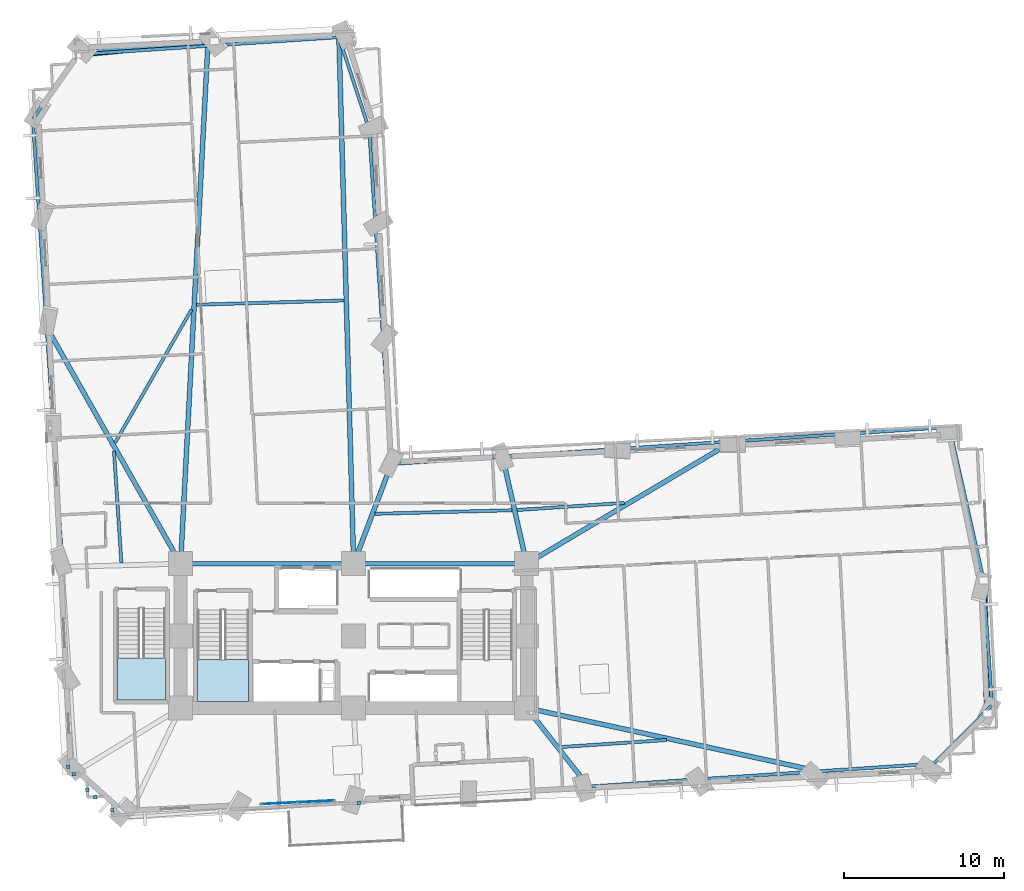
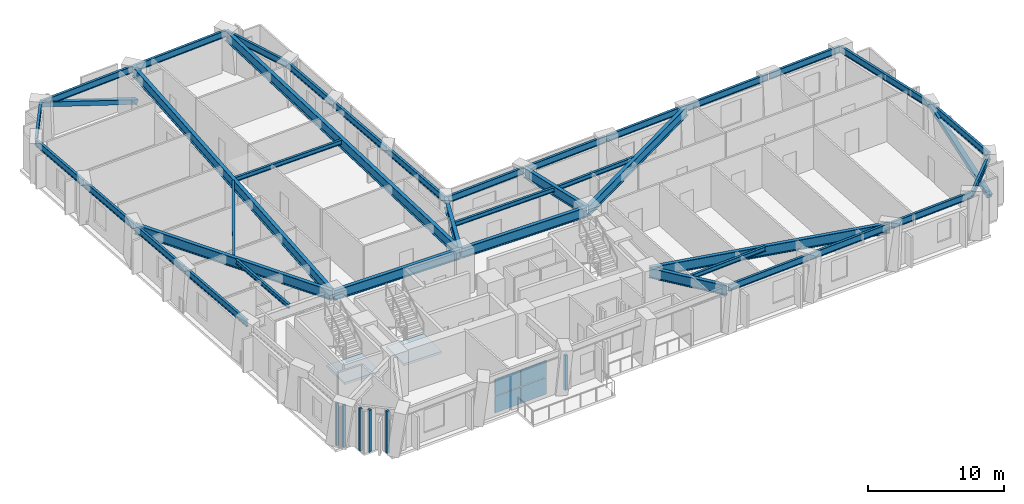
# One storey, part 3 of 15: 38 beams, 10 plates, 2 members, 2 slabs, 3 elements without a shape of their own.
"""IFC4 building model written with IfcOpenShell, lengths in metres."""

from ifc_helpers import new_model, si_unit, direction, frame, origin, origin_2d, place, context, subcontext, project, spatial, polyline, rectangle, hollow_rectangle, i_section, outline, extrude, material, layer, layer_set, material_profile, profile_set, type_object, element, aggregate, save


model = new_model("IFC4")

# Units and contexts
model_context = context("Model", 3, precision=1e-05, world=origin(), true_north=direction((0.0, 1.0)))
body_context = subcontext(model_context, "Body", "Model", "MODEL_VIEW")
ifc_project = project(units=[si_unit("LENGTHUNIT", "METRE"), si_unit("AREAUNIT", "SQUARE_METRE"), si_unit("VOLUMEUNIT", "CUBIC_METRE"), si_unit("PLANEANGLEUNIT", "RADIAN"), si_unit("MASSUNIT", "GRAM", prefix="KILO")], contexts=[model_context])

# Site, building, storey
site_placement = place(None, origin())
site = spatial("IfcSite", under=ifc_project, at=site_placement, CompositionType="ELEMENT")
building_placement = place(site_placement, origin())
building = spatial("IfcBuilding", under=site, at=building_placement, Name="Gaonmaruhae Medical Tower", CompositionType="ELEMENT")
storey_placement = place(building_placement, frame((0.0, 0.0, 35.0)))
storey = spatial("IfcBuildingStorey", under=building, at=storey_placement, Name="L07", CompositionType="ELEMENT", Elevation=35.0)

# Beams
ifc_material_1 = material(Name="Steel SM355", Category="steel")
ifc_material_profile_1 = material_profile(ifc_material_1, i_section(OverallWidth=0.199951171875, OverallDepth=0.39990234375, WebThickness=0.008056640625, FlangeThickness=0.012939453125, FilletRadius=0.012939453125, at=origin_2d()), Name="H-400x200x8x13")
ifc_profile_set_1 = profile_set([ifc_material_profile_1], Name="Steel SM355")
beam_type_1 = type_object("IfcBeamType", Name="FJ-01 Lower Zone Ward Floor Joist (H-400x200x8x13)", PredefinedType="JOIST", material=ifc_profile_set_1)
beam_1_placement = place(storey_placement, frame((37.7197265625, 5.357666015625, 3.580078125), z_axis=(0.997800978094, 0.066281280278, 0.0), x_axis=(-0.066281280278, 0.997800978094, 0.0)))
element("IfcBeam", 1, at=beam_1_placement, inside=storey, type_object=beam_type_1, Name="L07 Secondary Floor Joist FJ03", PredefinedType="JOIST", context=body_context, shape_type="SweptSolid", body=[
    extrude(i_section(OverallWidth=0.199951171875, OverallDepth=0.39990234375, WebThickness=0.008056640625, FlangeThickness=0.012939453125, FilletRadius=0.012939453125, at=origin_2d()), origin(), (0.0, 0.0, 1.0), 6.61181640625),
])
beam_2_placement = place(storey_placement, frame((41.691650390625, 20.594482421875, 3.580078125), z_axis=(-0.997801561796, -0.066272492609, 0.0), x_axis=(0.066272492609, -0.997801561796, 0.0)))
element("IfcBeam", 2, at=beam_2_placement, inside=storey, type_object=beam_type_1, Name="L07 Secondary Floor Joist FJ05", PredefinedType="JOIST", context=body_context, shape_type="SweptSolid", body=[
    extrude(i_section(OverallWidth=0.199951171875, OverallDepth=0.39990234375, WebThickness=0.008056640625, FlangeThickness=0.012939453125, FilletRadius=0.012939453125, at=origin_2d()), origin(), (0.0, 0.0, 1.0), 6.70458984375),
])
beam_3_placement = place(storey_placement, frame((34.685546875, 20.135498046875, 3.580078125), z_axis=(-0.999663327042, -0.02594672558, 0.0), x_axis=(0.02594672558, -0.999663327042, 0.0)))
element("IfcBeam", 3, at=beam_3_placement, inside=storey, type_object=beam_type_1, Name="L07 Secondary Floor Joist FJ06", PredefinedType="JOIST", context=body_context, shape_type="SweptSolid", body=[
    extrude(i_section(OverallWidth=0.199951171875, OverallDepth=0.39990234375, WebThickness=0.008056640625, FlangeThickness=0.012939453125, FilletRadius=0.012939453125, at=origin_2d()), origin(), (0.0, 0.0, 1.0), 8.543701171875),
])
beam_4_placement = place(storey_placement, frame((24.1845703125, 33.225830078125, 3.580078125), z_axis=(-0.999590697342, -0.028608351695, 0.0), x_axis=(0.028608351695, -0.999590697342, 0.0)))
element("IfcBeam", 4, at=beam_4_placement, inside=storey, type_object=beam_type_1, Name="L07 Secondary Floor Joist FJ08", PredefinedType="JOIST", context=body_context, shape_type="SweptSolid", body=[
    extrude(i_section(OverallWidth=0.199951171875, OverallDepth=0.39990234375, WebThickness=0.008056640625, FlangeThickness=0.012939453125, FilletRadius=0.012939453125, at=origin_2d()), origin(), (0.0, 0.0, 1.0), 9.182373046875),
])
beam_5_placement = place(storey_placement, frame((14.68115234375, 32.66455078125, 3.580078125), z_axis=(-0.497149498878, -0.867664898313, 0.0), x_axis=(0.867664898313, -0.497149498878, 0.0)))
element("IfcBeam", 5, at=beam_5_placement, inside=storey, type_object=beam_type_1, Name="L07 Secondary Floor Joist FJ09", PredefinedType="JOIST", context=body_context, shape_type="SweptSolid", body=[
    extrude(i_section(OverallWidth=0.199951171875, OverallDepth=0.39990234375, WebThickness=0.008056640625, FlangeThickness=0.012939453125, FilletRadius=0.012939453125, at=origin_2d()), origin(), (0.0, 0.0, 1.0), 9.59716796875),
])
beam_6_placement = place(storey_placement, frame((9.843505859375, 23.830078125, 3.580078125), z_axis=(0.0662710413, -0.997801658189, 0.0), x_axis=(0.997801658189, 0.0662710413, 0.0)))
element("IfcBeam", 6, at=beam_6_placement, inside=storey, type_object=beam_type_1, Name="L07 Secondary Floor Joist FJ10", PredefinedType="JOIST", context=body_context, shape_type="SweptSolid", body=[
    extrude(i_section(OverallWidth=0.199951171875, OverallDepth=0.39990234375, WebThickness=0.008056640625, FlangeThickness=0.012939453125, FilletRadius=0.012939453125, at=origin_2d()), origin(), (0.0, 0.0, 1.0), 6.9921875),
])

# Members
ifc_material_2 = material(Name="Steel SM420", Category="steel")
ifc_material_profile_2 = material_profile(ifc_material_2, hollow_rectangle(XDim=0.39990234375, YDim=0.39990234375, WallThickness=0.01611328125, at=origin_2d()), Name="RHS-400x400x16")
ifc_profile_set_2 = profile_set([ifc_material_profile_2], Name="Steel SM420")
member_type = type_object("IfcMemberType", Name="PB-01 Perimeter Solid-Bay Tube Brace Lower (RHS-400x400x16)", PredefinedType="BRACE", material=ifc_profile_set_2)
member_1_placement = place(storey_placement, frame((64.350341796875, 7.45751953125, 0.25), z_axis=(-0.026183809331, 0.929620992314, 0.367585661822), x_axis=(-0.999603570916, -0.028154946504, 0.0)))
element("IfcMember", 7, at=member_1_placement, inside=storey, type_object=member_type, Name="L07 Perimeter Tube Solid-Bay Brace E01-E02", PredefinedType="BRACE", context=body_context, shape_type="SweptSolid", body=[
    extrude(hollow_rectangle(XDim=0.39990234375, YDim=0.39990234375, WallThickness=0.01611328125, at=origin_2d()), origin(), (0.0, 0.0, 1.0), 8.923095703125),
])
member_2_placement = place(storey_placement, frame((16.104736328125, 49.41064453125, 0.25), z_axis=(-0.930330613514, -0.090665908831, 0.355337364394), x_axis=(0.096996053395, -0.995284766097, 0.0)))
element("IfcMember", 8, at=member_2_placement, inside=storey, type_object=member_type, Name="L07 Perimeter Tube Solid-Bay Brace N02-N03", PredefinedType="BRACE", context=body_context, shape_type="SweptSolid", body=[
    extrude(hollow_rectangle(XDim=0.39990234375, YDim=0.39990234375, WallThickness=0.01611328125, at=origin_2d()), origin(), (0.0, 0.0, 1.0), 9.230712890625),
])

# Beams
ifc_material_profile_3 = material_profile(ifc_material_2, i_section(OverallWidth=0.300048828125, OverallDepth=0.89990234375, WebThickness=0.01611328125, FlangeThickness=0.028076171875, FilletRadius=0.01806640625, at=origin_2d()), Name="H-900x300x16x28")
ifc_profile_set_3 = profile_set([ifc_material_profile_3], Name="Steel SM420")
beam_type_2 = type_object("IfcBeamType", Name="PG-01 Zone 1 Radial Floor Girder (H-900x300x16x28)", PredefinedType="BEAM", material=ifc_profile_set_3)
for number, where, z_axis, x_axis, name in (
    (9, (14.050048828125, 16.800048828125, 3.330078125), (1.0, 0.0, 0.0), (0.0, 1.0, 0.0), "L07 Beam BM-L07-CG-N1"),
    (10, (24.85009765625, 16.800048828125, 3.330078125), (1.0, 0.0, 0.0), (0.0, 1.0, 0.0), "L07 Beam BM-L07-CG-N2"),
):
    element("IfcBeam", number, at=place(storey_placement, frame(where, z_axis=z_axis, x_axis=x_axis)), inside=storey, type_object=beam_type_2, Name=name, PredefinedType="BEAM", context=body_context, shape_type="SweptSolid", body=[
        extrude(i_section(OverallWidth=0.300048828125, OverallDepth=0.89990234375, WebThickness=0.01611328125, FlangeThickness=0.028076171875, FilletRadius=0.01806640625, at=origin_2d()), origin(), (0.0, 0.0, 1.0), 10.699951171875),
    ])
beam_7_placement = place(storey_placement, frame((35.630859375, 7.7607421875, 3.31005859375), z_axis=(0.618564822239, -0.785733772144, 0.0), x_axis=(0.785733772144, 0.618564822239, 0.0)))
element("IfcBeam", 11, at=beam_7_placement, inside=storey, type_object=beam_type_2, Name="L07 Radial Primary Girder S05", PredefinedType="BEAM", context=body_context, shape_type="SweptSolid", body=[
    extrude(i_section(OverallWidth=0.300048828125, OverallDepth=0.89990234375, WebThickness=0.01611328125, FlangeThickness=0.028076171875, FilletRadius=0.01806640625, at=origin_2d()), origin(), (0.0, 0.0, 1.0), 6.1484375),
])
beam_8_placement = place(storey_placement, frame((35.64892578125, 7.789306640625, 3.330078125), z_axis=(0.977273151831, -0.211983930313, 0.0), x_axis=(0.211983930313, 0.977273151831, 0.0)))
element("IfcBeam", 12, at=beam_8_placement, inside=storey, type_object=beam_type_2, Name="L07 Radial Primary Girder S07", PredefinedType="BEAM", context=body_context, shape_type="SweptSolid", body=[
    extrude(i_section(OverallWidth=0.300048828125, OverallDepth=0.89990234375, WebThickness=0.01611328125, FlangeThickness=0.028076171875, FilletRadius=0.01806640625, at=origin_2d()), origin(), (0.0, 0.0, 1.0), 18.55712890625),
])
beam_9_placement = place(storey_placement, frame((35.64306640625, 16.825439453125, 3.330078125), z_axis=(0.859850910281, 0.510545210622, 0.0), x_axis=(-0.510545210622, 0.859850910281, 0.0)))
element("IfcBeam", 13, at=beam_9_placement, inside=storey, type_object=beam_type_2, Name="L07 Radial Primary Girder EN02", PredefinedType="BEAM", context=body_context, shape_type="SweptSolid", body=[
    extrude(i_section(OverallWidth=0.300048828125, OverallDepth=0.89990234375, WebThickness=0.01611328125, FlangeThickness=0.028076171875, FilletRadius=0.01806640625, at=origin_2d()), origin(), (0.0, 0.0, 1.0), 14.852294921875),
])
beam_10_placement = place(storey_placement, frame((35.5888671875, 16.848876953125, 3.330078125), z_axis=(-0.22069058955, 0.975343869455, 0.0), x_axis=(-0.975343869455, -0.22069058955, 0.0)))
element("IfcBeam", 14, at=beam_10_placement, inside=storey, type_object=beam_type_2, Name="L07 Radial Primary Girder EN04", PredefinedType="BEAM", context=body_context, shape_type="SweptSolid", body=[
    extrude(i_section(OverallWidth=0.300048828125, OverallDepth=0.89990234375, WebThickness=0.01611328125, FlangeThickness=0.028076171875, FilletRadius=0.01806640625, at=origin_2d()), origin(), (0.0, 0.0, 1.0), 6.748291015625),
])
beam_11_placement = place(storey_placement, frame((24.817626953125, 16.8466796875, 3.330078125), z_axis=(0.354005779236, 0.935243234815, 0.0), x_axis=(-0.935243234815, 0.354005779236, 0.0)))
element("IfcBeam", 15, at=beam_11_placement, inside=storey, type_object=beam_type_2, Name="L07 Radial Primary Girder KN01", PredefinedType="BEAM", context=body_context, shape_type="SweptSolid", body=[
    extrude(i_section(OverallWidth=0.300048828125, OverallDepth=0.89990234375, WebThickness=0.01611328125, FlangeThickness=0.028076171875, FilletRadius=0.01806640625, at=origin_2d()), origin(), (0.0, 0.0, 1.0), 6.549560546875),
])
beam_12_placement = place(storey_placement, frame((24.798583984375, 16.85009765625, 3.330078125), z_axis=(-0.027957499609, 0.999609112711, 0.0), x_axis=(-0.999609112711, -0.027957499609, 0.0)))
element("IfcBeam", 16, at=beam_12_placement, inside=storey, type_object=beam_type_2, Name="L07 Radial Primary Girder N01", PredefinedType="BEAM", context=body_context, shape_type="SweptSolid", body=[
    extrude(i_section(OverallWidth=0.300048828125, OverallDepth=0.89990234375, WebThickness=0.01611328125, FlangeThickness=0.028076171875, FilletRadius=0.01806640625, at=origin_2d()), origin(), (0.0, 0.0, 1.0), 32.773193359375),
])
beam_13_placement = place(storey_placement, frame((14.002685546875, 16.849853515625, 3.330078125), z_axis=(0.052503226643, 0.998620754437, 0.0), x_axis=(-0.998620754437, 0.052503226643, 0.0)))
element("IfcBeam", 17, at=beam_13_placement, inside=storey, type_object=beam_type_2, Name="L07 Radial Primary Girder N02", PredefinedType="BEAM", context=body_context, shape_type="SweptSolid", body=[
    extrude(i_section(OverallWidth=0.300048828125, OverallDepth=0.89990234375, WebThickness=0.01611328125, FlangeThickness=0.028076171875, FilletRadius=0.01806640625, at=origin_2d()), origin(), (0.0, 0.0, 1.0), 32.26171875),
])
beam_14_placement = place(storey_placement, frame((13.975341796875, 16.843505859375, 3.330078125), z_axis=(-0.492769287239, 0.870160002272, 0.0), x_axis=(-0.870160002272, -0.492769287239, 0.0)))
element("IfcBeam", 18, at=beam_14_placement, inside=storey, type_object=beam_type_2, Name="L07 Radial Primary Girder W03", PredefinedType="BEAM", context=body_context, shape_type="SweptSolid", body=[
    extrude(i_section(OverallWidth=0.300048828125, OverallDepth=0.89990234375, WebThickness=0.01611328125, FlangeThickness=0.028076171875, FilletRadius=0.01806640625, at=origin_2d()), origin(), (0.0, 0.0, 1.0), 16.864501953125),
])
ifc_material_profile_4 = material_profile(ifc_material_1, i_section(OverallWidth=0.199951171875, OverallDepth=0.60009765625, WebThickness=0.010986328125, FlangeThickness=0.01708984375, FilletRadius=0.012939453125, at=origin_2d()), Name="H-600x200x11x17")
ifc_profile_set_4 = profile_set([ifc_material_profile_4], Name="Steel SM355")
beam_type_3 = type_object("IfcBeamType", Name="SP-01 Lower Perimeter Spandrel Beam (H-600x200x11x17)", PredefinedType="SPANDREL", material=ifc_profile_set_4)
beam_15_placement = place(storey_placement, frame((39.5048828125, 2.89306640625, 3.47998046875), z_axis=(0.997800909192, 0.066282317518, 0.0), x_axis=(-0.066282317518, 0.997800909192, 0.0)))
element("IfcBeam", 19, at=beam_15_placement, inside=storey, type_object=beam_type_3, Name="L07 Perimeter Spandrel Beam S05-S06", PredefinedType="SPANDREL", context=body_context, shape_type="SweptSolid", body=[
    extrude(i_section(OverallWidth=0.199951171875, OverallDepth=0.60009765625, WebThickness=0.010986328125, FlangeThickness=0.01708984375, FilletRadius=0.012939453125, at=origin_2d()), origin(), (0.0, 0.0, 1.0), 7.119873046875),
])
beam_16_placement = place(storey_placement, frame((46.68896484375, 3.370361328125, 3.47998046875), z_axis=(0.997801059832, 0.066280049782, 0.0), x_axis=(-0.066280049782, 0.997801059832, 0.0)))
element("IfcBeam", 20, at=beam_16_placement, inside=storey, type_object=beam_type_3, Name="L07 Perimeter Spandrel Beam S06-S07", PredefinedType="SPANDREL", context=body_context, shape_type="SweptSolid", body=[
    extrude(i_section(OverallWidth=0.199951171875, OverallDepth=0.60009765625, WebThickness=0.010986328125, FlangeThickness=0.01708984375, FilletRadius=0.012939453125, at=origin_2d()), origin(), (0.0, 0.0, 1.0), 7.1201171875),
])
beam_17_placement = place(storey_placement, frame((53.873291015625, 3.847412109375, 3.47998046875), z_axis=(0.997800909192, 0.066282317518, 0.0), x_axis=(-0.066282317518, 0.997800909192, 0.0)))
element("IfcBeam", 21, at=beam_17_placement, inside=storey, type_object=beam_type_3, Name="L07 Perimeter Spandrel Beam S07-S08", PredefinedType="SPANDREL", context=body_context, shape_type="SweptSolid", body=[
    extrude(i_section(OverallWidth=0.199951171875, OverallDepth=0.60009765625, WebThickness=0.010986328125, FlangeThickness=0.01708984375, FilletRadius=0.012939453125, at=origin_2d()), origin(), (0.0, 0.0, 1.0), 7.119873046875),
])
beam_18_placement = place(storey_placement, frame((61.045654296875, 4.350341796875, 3.47998046875), z_axis=(0.704009936915, 0.710190121534, 0.0), x_axis=(-0.710190121534, 0.704009936915, 0.0)))
element("IfcBeam", 22, at=beam_18_placement, inside=storey, type_object=beam_type_3, Name="L07 Perimeter Spandrel Beam S08-E01", PredefinedType="SPANDREL", context=body_context, shape_type="SweptSolid", body=[
    extrude(i_section(OverallWidth=0.199951171875, OverallDepth=0.60009765625, WebThickness=0.010986328125, FlangeThickness=0.01708984375, FilletRadius=0.012939453125, at=origin_2d()), origin(), (0.0, 0.0, 1.0), 5.056396484375),
])
beam_19_placement = place(storey_placement, frame((64.631103515625, 8.009521484375, 3.47998046875), z_axis=(-0.066283927532, 0.99780080224, 0.0), x_axis=(-0.99780080224, -0.066283927532, 0.0)))
element("IfcBeam", 23, at=beam_19_placement, inside=storey, type_object=beam_type_3, Name="L07 Perimeter Spandrel Beam E01-E02", PredefinedType="SPANDREL", context=body_context, shape_type="SweptSolid", body=[
    extrude(i_section(OverallWidth=0.199951171875, OverallDepth=0.60009765625, WebThickness=0.010986328125, FlangeThickness=0.01708984375, FilletRadius=0.012939453125, at=origin_2d()), origin(), (0.0, 0.0, 1.0), 7.72021484375),
])
beam_20_placement = place(storey_placement, frame((64.10791015625, 15.79150390625, 3.47998046875), z_axis=(-0.217976521411, 0.975954013319, 0.0), x_axis=(-0.975954013319, -0.217976521411, 0.0)))
element("IfcBeam", 24, at=beam_20_placement, inside=storey, type_object=beam_type_3, Name="L07 Perimeter Spandrel Beam E02-E03", PredefinedType="SPANDREL", context=body_context, shape_type="SweptSolid", body=[
    extrude(i_section(OverallWidth=0.199951171875, OverallDepth=0.60009765625, WebThickness=0.010986328125, FlangeThickness=0.01708984375, FilletRadius=0.012939453125, at=origin_2d()), origin(), (0.0, 0.0, 1.0), 9.7353515625),
])
beam_21_placement = place(storey_placement, frame((61.937255859375, 25.3291015625, 3.47998046875), z_axis=(-0.997801666658, -0.066270913785, 0.0), x_axis=(0.066270913785, -0.997801666658, 0.0)))
element("IfcBeam", 25, at=beam_21_placement, inside=storey, type_object=beam_type_3, Name="L07 Perimeter Spandrel Beam E03-EN01", PredefinedType="SPANDREL", context=body_context, shape_type="SweptSolid", body=[
    extrude(i_section(OverallWidth=0.199951171875, OverallDepth=0.60009765625, WebThickness=0.010986328125, FlangeThickness=0.01708984375, FilletRadius=0.012939453125, at=origin_2d()), origin(), (0.0, 0.0, 1.0), 6.27001953125),
])
for number, where, z_axis, x_axis, name in (
    (26, (55.60107421875, 24.908447265625, 3.47998046875), (-0.997800909192, -0.066282317518, 0.0), (0.066282317518, -0.997800909192, 0.0), "L07 Perimeter Spandrel Beam EN01-EN02"),
    (27, (48.4169921875, 24.43115234375, 3.47998046875), (-0.997800909192, -0.066282317518, 0.0), (0.066282317518, -0.997800909192, 0.0), "L07 Perimeter Spandrel Beam EN02-EN03"),
):
    element("IfcBeam", number, at=place(storey_placement, frame(where, z_axis=z_axis, x_axis=x_axis)), inside=storey, type_object=beam_type_3, Name=name, PredefinedType="SPANDREL", context=body_context, shape_type="SweptSolid", body=[
        extrude(i_section(OverallWidth=0.199951171875, OverallDepth=0.60009765625, WebThickness=0.010986328125, FlangeThickness=0.01708984375, FilletRadius=0.012939453125, at=origin_2d()), origin(), (0.0, 0.0, 1.0), 7.119873046875),
    ])
beam_22_placement = place(storey_placement, frame((41.23291015625, 23.9541015625, 3.47998046875), z_axis=(-0.997801059832, -0.066280049782, 0.0), x_axis=(0.066280049782, -0.997801059832, 0.0)))
element("IfcBeam", 28, at=beam_22_placement, inside=storey, type_object=beam_type_3, Name="L07 Perimeter Spandrel Beam EN03-EN04", PredefinedType="SPANDREL", context=body_context, shape_type="SweptSolid", body=[
    extrude(i_section(OverallWidth=0.199951171875, OverallDepth=0.60009765625, WebThickness=0.010986328125, FlangeThickness=0.01708984375, FilletRadius=0.012939453125, at=origin_2d()), origin(), (0.0, 0.0, 1.0), 7.1201171875),
])
beam_23_placement = place(storey_placement, frame((34.048583984375, 23.476806640625, 3.47998046875), z_axis=(-0.997801168137, -0.066278419296, 0.0), x_axis=(0.066278419296, -0.997801168137, 0.0)))
element("IfcBeam", 29, at=beam_23_placement, inside=storey, type_object=beam_type_3, Name="L07 Perimeter Spandrel Beam EN04-KN01", PredefinedType="SPANDREL", context=body_context, shape_type="SweptSolid", body=[
    extrude(i_section(OverallWidth=0.199951171875, OverallDepth=0.60009765625, WebThickness=0.010986328125, FlangeThickness=0.01708984375, FilletRadius=0.012939453125, at=origin_2d()), origin(), (0.0, 0.0, 1.0), 6.869873046875),
])
beam_24_placement = place(storey_placement, frame((27.151123046875, 23.058837890625, 3.47998046875), z_axis=(-0.066271826452, 0.997801606041, 0.0), x_axis=(-0.997801606041, -0.066271826452, 0.0)))
element("IfcBeam", 30, at=beam_24_placement, inside=storey, type_object=beam_type_3, Name="L07 Perimeter Spandrel Beam KN01-NE01", PredefinedType="SPANDREL", context=body_context, shape_type="SweptSolid", body=[
    extrude(i_section(OverallWidth=0.199951171875, OverallDepth=0.60009765625, WebThickness=0.010986328125, FlangeThickness=0.01708984375, FilletRadius=0.012939453125, at=origin_2d()), origin(), (0.0, 0.0, 1.0), 7.669921875),
])
beam_25_placement = place(storey_placement, frame((26.6376953125, 30.791748046875, 3.47998046875), z_axis=(-0.066282317518, 0.997800909192, 0.0), x_axis=(-0.997800909192, -0.066282317518, 0.0)))
element("IfcBeam", 31, at=beam_25_placement, inside=storey, type_object=beam_type_3, Name="L07 Perimeter Spandrel Beam NE01-NE02", PredefinedType="SPANDREL", context=body_context, shape_type="SweptSolid", body=[
    extrude(i_section(OverallWidth=0.199951171875, OverallDepth=0.60009765625, WebThickness=0.010986328125, FlangeThickness=0.01708984375, FilletRadius=0.012939453125, at=origin_2d()), origin(), (0.0, 0.0, 1.0), 7.119873046875),
])
beam_26_placement = place(storey_placement, frame((26.160400390625, 37.975830078125, 3.47998046875), z_axis=(-0.066272663425, 0.997801550451, 0.0), x_axis=(-0.997801550451, -0.066272663425, 0.0)))
element("IfcBeam", 32, at=beam_26_placement, inside=storey, type_object=beam_type_3, Name="L07 Perimeter Spandrel Beam NE02-NE03", PredefinedType="SPANDREL", context=body_context, shape_type="SweptSolid", body=[
    extrude(i_section(OverallWidth=0.199951171875, OverallDepth=0.60009765625, WebThickness=0.010986328125, FlangeThickness=0.01708984375, FilletRadius=0.012939453125, at=origin_2d()), origin(), (0.0, 0.0, 1.0), 5.919921875),
])
beam_27_placement = place(storey_placement, frame((25.7529296875, 43.9609375, 3.47998046875), z_axis=(-0.312021224703, 0.950075131416, 0.0), x_axis=(-0.950075131416, -0.312021224703, 0.0)))
element("IfcBeam", 33, at=beam_27_placement, inside=storey, type_object=beam_type_3, Name="L07 Perimeter Spandrel Beam NE03-N01", PredefinedType="SPANDREL", context=body_context, shape_type="SweptSolid", body=[
    extrude(i_section(OverallWidth=0.199951171875, OverallDepth=0.60009765625, WebThickness=0.010986328125, FlangeThickness=0.01708984375, FilletRadius=0.012939453125, at=origin_2d()), origin(), (0.0, 0.0, 1.0), 5.959228515625),
])
beam_28_placement = place(storey_placement, frame((23.841064453125, 49.657958984375, 3.47998046875), z_axis=(-0.997799900636, -0.06629749837, 0.0), x_axis=(0.06629749837, -0.997799900636, 0.0)))
element("IfcBeam", 34, at=beam_28_placement, inside=storey, type_object=beam_type_3, Name="L07 Perimeter Spandrel Beam N01-N02", PredefinedType="SPANDREL", context=body_context, shape_type="SweptSolid", body=[
    extrude(i_section(OverallWidth=0.199951171875, OverallDepth=0.60009765625, WebThickness=0.010986328125, FlangeThickness=0.01708984375, FilletRadius=0.012939453125, at=origin_2d()), origin(), (0.0, 0.0, 1.0), 8.119873046875),
])
beam_29_placement = place(storey_placement, frame((15.6591796875, 49.114501953125, 3.47998046875), z_axis=(-0.997802021195, -0.066265575518, 0.0), x_axis=(0.066265575518, -0.997802021195, 0.0)))
element("IfcBeam", 35, at=beam_29_placement, inside=storey, type_object=beam_type_3, Name="L07 Perimeter Spandrel Beam N02-N03", PredefinedType="SPANDREL", context=body_context, shape_type="SweptSolid", body=[
    extrude(i_section(OverallWidth=0.199951171875, OverallDepth=0.60009765625, WebThickness=0.010986328125, FlangeThickness=0.01708984375, FilletRadius=0.012939453125, at=origin_2d()), origin(), (0.0, 0.0, 1.0), 8.1201171875),
])
beam_30_placement = place(storey_placement, frame((7.49462890625, 48.54052734375, 3.47998046875), z_axis=(-0.561021297654, -0.827801367224, 0.0), x_axis=(0.827801367224, -0.561021297654, 0.0)))
element("IfcBeam", 36, at=beam_30_placement, inside=storey, type_object=beam_type_3, Name="L07 Perimeter Spandrel Beam N03-W01", PredefinedType="SPANDREL", context=body_context, shape_type="SweptSolid", body=[
    extrude(i_section(OverallWidth=0.199951171875, OverallDepth=0.60009765625, WebThickness=0.010986328125, FlangeThickness=0.01708984375, FilletRadius=0.012939453125, at=origin_2d()), origin(), (0.0, 0.0, 1.0), 4.80078125),
])
beam_31_placement = place(storey_placement, frame((4.781494140625, 44.493408203125, 3.47998046875), z_axis=(0.066288257184, -0.997800514612, 0.0), x_axis=(0.997800514612, 0.066288257184, 0.0)))
element("IfcBeam", 37, at=beam_31_placement, inside=storey, type_object=beam_type_3, Name="L07 Perimeter Spandrel Beam W01-W02", PredefinedType="SPANDREL", context=body_context, shape_type="SweptSolid", body=[
    extrude(i_section(OverallWidth=0.199951171875, OverallDepth=0.60009765625, WebThickness=0.010986328125, FlangeThickness=0.01708984375, FilletRadius=0.012939453125, at=origin_2d()), origin(), (0.0, 0.0, 1.0), 6.320068359375),
])
beam_32_placement = place(storey_placement, frame((5.20556640625, 38.107421875, 3.47998046875), z_axis=(0.066277934649, -0.997801200329, 0.0), x_axis=(0.997801200329, 0.066277934649, 0.0)))
element("IfcBeam", 38, at=beam_32_placement, inside=storey, type_object=beam_type_3, Name="L07 Perimeter Spandrel Beam W02-W03", PredefinedType="SPANDREL", context=body_context, shape_type="SweptSolid", body=[
    extrude(i_section(OverallWidth=0.199951171875, OverallDepth=0.60009765625, WebThickness=0.010986328125, FlangeThickness=0.01708984375, FilletRadius=0.012939453125, at=origin_2d()), origin(), (0.0, 0.0, 1.0), 6.52001953125),
])
beam_33_placement = place(storey_placement, frame((5.64306640625, 31.52197265625, 3.47998046875), z_axis=(0.066255111083, -0.997802716099, 0.0), x_axis=(0.997802716099, 0.066255111083, 0.0)))
element("IfcBeam", 39, at=beam_33_placement, inside=storey, type_object=beam_type_3, Name="L07 Perimeter Spandrel Beam W03-W04", PredefinedType="SPANDREL", context=body_context, shape_type="SweptSolid", body=[
    extrude(i_section(OverallWidth=0.199951171875, OverallDepth=0.60009765625, WebThickness=0.010986328125, FlangeThickness=0.01708984375, FilletRadius=0.012939453125, at=origin_2d()), origin(), (0.0, 0.0, 1.0), 6.570068359375),
])
beam_34_placement = place(storey_placement, frame((6.083740234375, 24.886474609375, 3.47998046875), z_axis=(0.066276042984, -0.997801325979, 0.0), x_axis=(0.997801325979, 0.066276042984, 0.0)))
element("IfcBeam", 40, at=beam_34_placement, inside=storey, type_object=beam_type_3, Name="L07 Perimeter Spandrel Beam W04-W05", PredefinedType="SPANDREL", context=body_context, shape_type="SweptSolid", body=[
    extrude(i_section(OverallWidth=0.199951171875, OverallDepth=0.60009765625, WebThickness=0.010986328125, FlangeThickness=0.01708984375, FilletRadius=0.012939453125, at=origin_2d()), origin(), (0.0, 0.0, 1.0), 8.269775390625),
])

# Curtain wall, plates
ifc_material_3 = material(Name="Anodised aluminium and Low-E double glazing", Category="aluminium")
curtain_wall_type = type_object("IfcCurtainWallType", Name="CW-S3 Spiralling Dayroom Ribbon Curtain Wall", PredefinedType="NOTDEFINED", material=ifc_material_3)
curtain_wall_placement = place(storey_placement, origin())
curtain_wall = element("IfcCurtainWall", 41, at=curtain_wall_placement, inside=storey, type_object=curtain_wall_type, Name="L07 Curtain Wall CW-L07-S02", PredefinedType="NOTDEFINED")
ifc_material_4 = material(Name="Insulated fritted spandrel glass", Category="glass")
ifc_layer_1 = layer(ifc_material_4, 0.0439453125)
ifc_layer_set_1 = layer_set([ifc_layer_1], Name="Insulated fritted spandrel glass")
plate_type_1 = type_object("IfcPlateType", Name="CWP-S1 Insulated Fritted Spandrel Panel", PredefinedType="CURTAIN_PANEL", material=ifc_layer_set_1)
plate_1_placement = place(storey_placement, frame((22.441650390625, 1.967041015625, 0.06494140625), z_axis=(0.0, 0.0, 1.0), x_axis=(-0.998763286462, -0.049718181949, 0.0)))
plate_1 = element("IfcPlate", 42, at=plate_1_placement, type_object=plate_type_1, Name="CW-S3 panel 1.1", PredefinedType="CURTAIN_PANEL", context=body_context, shape_type="SweptSolid", body=[
    extrude(rectangle(XDim=2.20947265625, YDim=0.0439453125, at=origin_2d()), origin(), (0.0, 0.0, 1.0), 1.485107421875),
])
plate_2_placement = place(storey_placement, frame((22.441650390625, 1.967041015625, 1.61474609375), z_axis=(0.0, 0.0, 1.0), x_axis=(-0.998763286462, -0.049718181949, 0.0)))
plate_2 = element("IfcPlate", 43, at=plate_2_placement, type_object=plate_type_1, Name="CW-S3 panel 1.2", PredefinedType="CURTAIN_PANEL", context=body_context, shape_type="SweptSolid", body=[
    extrude(rectangle(XDim=2.20947265625, YDim=0.0439453125, at=origin_2d()), origin(), (0.0, 0.0, 1.0), 1.485107421875),
])
plate_3_placement = place(storey_placement, frame((20.169921875, 1.853759765625, 0.06494140625), z_axis=(0.0, 0.0, 1.0), x_axis=(-0.998763286462, -0.049718181949, 0.0)))
plate_3 = element("IfcPlate", 44, at=plate_3_placement, type_object=plate_type_1, Name="CW-S3 panel 2.1", PredefinedType="CURTAIN_PANEL", context=body_context, shape_type="SweptSolid", body=[
    extrude(rectangle(XDim=2.20947265625, YDim=0.0439453125, at=origin_2d()), origin(), (0.0, 0.0, 1.0), 1.485107421875),
])
plate_4_placement = place(storey_placement, frame((20.169921875, 1.853759765625, 1.61474609375), z_axis=(0.0, 0.0, 1.0), x_axis=(-0.998763286462, -0.049718181949, 0.0)))
plate_4 = element("IfcPlate", 45, at=plate_4_placement, type_object=plate_type_1, Name="CW-S3 panel 2.2", PredefinedType="CURTAIN_PANEL", context=body_context, shape_type="SweptSolid", body=[
    extrude(rectangle(XDim=2.20947265625, YDim=0.0439453125, at=origin_2d()), origin(), (0.0, 0.0, 1.0), 1.485107421875),
])
aggregate(curtain_wall, [plate_1, plate_2, plate_3, plate_4])

# Plates
ifc_material_5 = material(Name="Anodised aluminium 6063-T6", Category="aluminium")
ifc_layer_2 = layer(ifc_material_5, 0.011962890625)
ifc_layer_set_2 = layer_set([ifc_layer_2], Name="Anodised aluminium 6063-T6")
plate_type_2 = type_object("IfcPlateType", Name="PP-01 Interior Partition Corner Stiffener Plate", PredefinedType="SHEET", material=ifc_layer_set_2)
for number, where, z_axis, x_axis, name in (
    (46, (9.73291015625, 1.424072265625, 0.0), (0.0, 0.0, 1.0), (-0.050087436326, 0.998744836644, 0.0), "L07 Partition Corner Stiffener Plate PLT-L07-JGP-PW013"),
    (47, (8.6708984375, 2.232421875, 0.0), (0.0, 0.0, 1.0), (-0.998798451715, -0.049006661293, 0.0), "L07 Partition Corner Stiffener Plate PLT-L07-JGP-PW014"),
    (48, (8.16796875, 2.68798828125, 0.0), (0.0, 0.0, 1.0), (-0.0500351421, 0.998747457847, 0.0), "L07 Partition Corner Stiffener Plate PLT-L07-JGP-PW015"),
    (49, (7.337890625, 3.66796875, 0.0), (0.0, 0.0, 1.0), (-0.998744836644, -0.050087436326, 0.0), "L07 Partition Corner Stiffener Plate PLT-L07-JGP-PW016"),
    (50, (6.9951171875, 4.131591796875, 0.0), (0.0, 0.0, 1.0), (-0.049982847737, 0.998750076311, 0.0), "L07 Partition Corner Stiffener Plate PLT-L07-JGP-PW017"),
):
    element("IfcPlate", number, at=place(storey_placement, frame(where, z_axis=z_axis, x_axis=x_axis)), inside=storey, type_object=plate_type_2, Name=name, PredefinedType="SHEET", context=body_context, shape_type="SweptSolid", body=[
        extrude(rectangle(XDim=0.219970703125, YDim=0.219970703125, at=origin_2d()), origin(), (0.0, 0.0, 1.0), 3.780029296875),
    ])
plate_5_placement = place(storey_placement, frame((25.12353515625, 1.87060546875, 0.0), z_axis=(0.0, 0.0, 1.0), x_axis=(-0.998774383277, -0.049494760425, 0.0)))
element("IfcPlate", 51, at=plate_5_placement, inside=storey, type_object=plate_type_2, Name="L07 Partition Corner Stiffener Plate PLT-L07-JGP-PW024", PredefinedType="SHEET", context=body_context, shape_type="SweptSolid", body=[
    extrude(rectangle(XDim=0.219970703125, YDim=0.219970703125, at=origin_2d()), origin(), (0.0, 0.0, 1.0), 3.14501953125),
])

# Stair, slab
ifc_material_6 = material(Name="Concrete C40/50", Category="concrete")
stair_type_1 = type_object("IfcStairType", Name="ST-T1 Primary Core Escape Dogleg Stair", PredefinedType="TWO_QUARTER_TURN_STAIR", material=ifc_material_6)
stair_1_placement = place(storey_placement, origin())
stair_1 = element("IfcStair", 52, at=stair_1_placement, inside=storey, type_object=stair_type_1, Name="L07 Protected Escape Stair ST-01", PredefinedType="TWO_QUARTER_TURN_STAIR")
ifc_layer_3 = layer(ifc_material_6, 0.199951171875)
ifc_layer_set_3 = layer_set([ifc_layer_3], Name="Concrete C40/50")
slab_type = type_object("IfcSlabType", Name="SL-200 Stair & Ramp Intermediate Concrete Landing", PredefinedType="LANDING", material=ifc_layer_set_3)
slab_1_placement = place(storey_placement, frame((0.0, 0.0, 1.800048828125)))
slab_1 = element("IfcSlab", 53, at=slab_1_placement, type_object=slab_type, Name="ST-01 landing 1", PredefinedType="LANDING", context=body_context, shape_type="SweptSolid", body=[
    extrude(outline(polyline([(15.050048828125, 10.820068359375), (15.050048828125, 8.2041015625), (18.25, 8.2041015625), (18.25, 10.820068359375), (15.050048828125, 10.820068359375)])), origin(), (0.0, 0.0, 1.0), 0.199951171875),
])
aggregate(stair_1, [slab_1])

stair_type_2 = type_object("IfcStairType", Name="ST-T2 Zone 1 Escape Dogleg Stair", PredefinedType="TWO_QUARTER_TURN_STAIR", material=ifc_material_6)
stair_2_placement = place(storey_placement, origin())
stair_2 = element("IfcStair", 54, at=stair_2_placement, inside=storey, type_object=stair_type_2, Name="L07 Protected Escape Stair ST-03", PredefinedType="TWO_QUARTER_TURN_STAIR")
slab_2_placement = place(storey_placement, frame((0.0, 0.0, 1.800048828125)))
slab_2 = element("IfcSlab", 55, at=slab_2_placement, type_object=slab_type, Name="ST-03 landing 1", PredefinedType="LANDING", context=body_context, shape_type="SweptSolid", body=[
    extrude(outline(polyline([(10.050048828125, 10.919921875), (10.050048828125, 8.300048828125), (13.050048828125, 8.300048828125), (13.050048828125, 10.919921875), (10.050048828125, 10.919921875)])), origin(), (0.0, 0.0, 1.0), 0.199951171875),
])
aggregate(stair_2, [slab_2])

save(model, "model.ifc")
